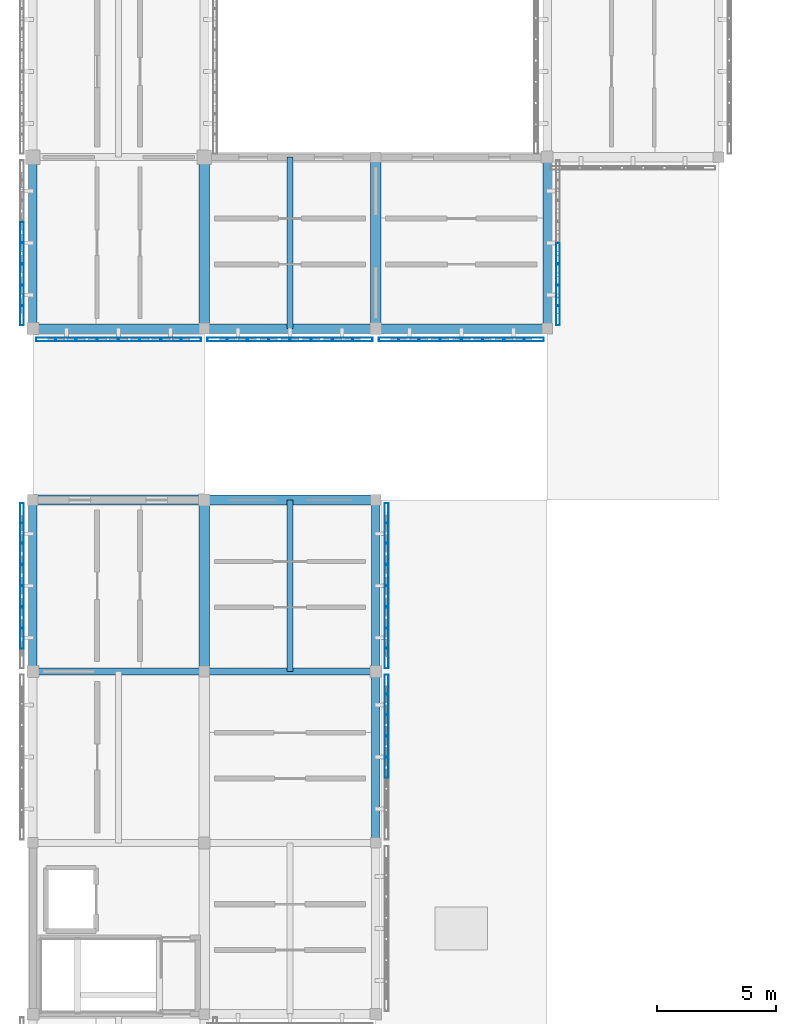
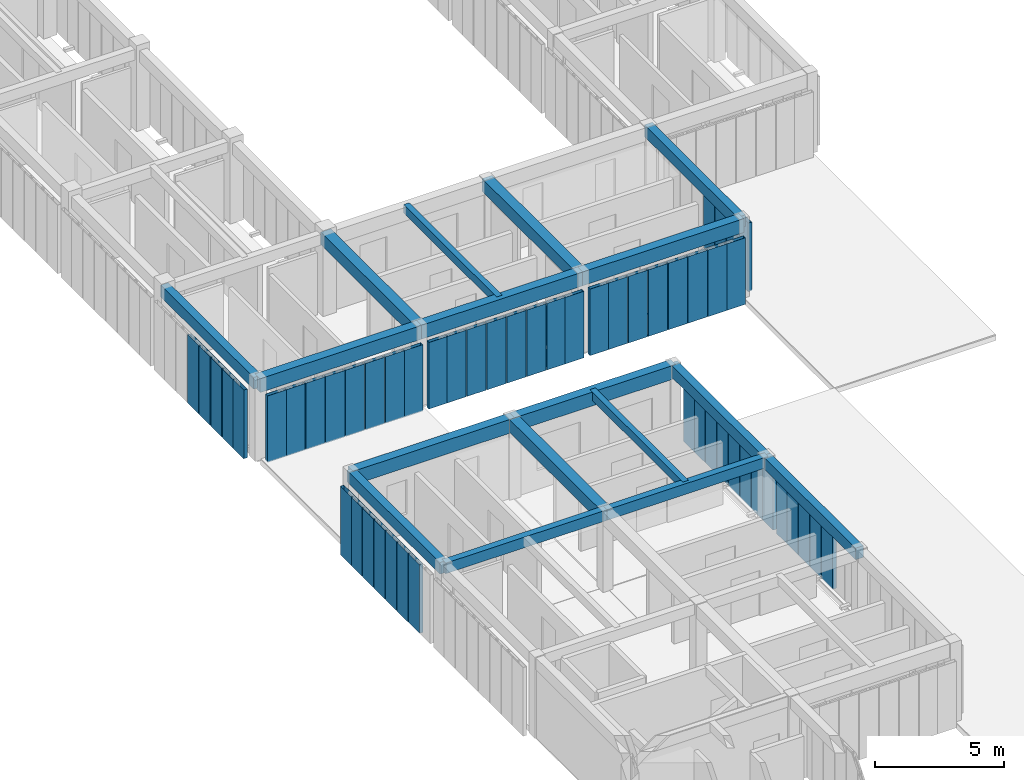
# One storey, part 4 of 67: 53 members, 17 beams, 8 elements without a shape of their own.
"""IFC4 building model written with IfcOpenShell, lengths in metres."""

from ifc_helpers import new_model, si_unit, direction, frame, origin, origin_2d, place, context, subcontext, project, spatial, rectangle, hollow_rectangle, extrude, material, material_profile, profile_set, type_object, element, aggregate, save


model = new_model("IFC4")

# Units and contexts
model_context = context("Model", 3, precision=1e-05, world=origin(), true_north=direction((0.0, 1.0)))
body_context = subcontext(model_context, "Body", "Model", "MODEL_VIEW")
ifc_project = project(units=[si_unit("LENGTHUNIT", "METRE"), si_unit("AREAUNIT", "SQUARE_METRE"), si_unit("VOLUMEUNIT", "CUBIC_METRE"), si_unit("PLANEANGLEUNIT", "RADIAN"), si_unit("MASSUNIT", "GRAM", prefix="KILO")], contexts=[model_context])

# Site, building, storey
site_placement = place(None, origin())
site = spatial("IfcSite", under=ifc_project, at=site_placement, CompositionType="ELEMENT")
building_placement = place(site_placement, origin())
building = spatial("IfcBuilding", under=site, at=building_placement, Name="Aldebral Square Health Centre", CompositionType="ELEMENT")
storey_placement = place(building_placement, frame((0.0, 0.0, 13.5)))
storey = spatial("IfcBuildingStorey", under=building, at=storey_placement, Name="L03", CompositionType="ELEMENT", Elevation=13.5)

# Beams
ifc_material_1 = material(Name="Concrete C40/50", Category="concrete")
ifc_material_profile_1 = material_profile(ifc_material_1, rectangle(XDim=0.39990234375, YDim=0.64990234375, at=origin_2d()), Name="RC 400x650")
ifc_profile_set_1 = profile_set([ifc_material_profile_1], Name="Concrete C40/50")
beam_type_1 = type_object("IfcBeamType", Name="BM-B1", PredefinedType="BEAM", material=ifc_profile_set_1)
for number, where, z_axis, x_axis, name in (
    (1, (0.0, 50.39990234375, 3.465087890625), (1.0, 0.0, 0.0), (0.0, 1.0, 0.0), "L03 X-beam 1-2/G8"),
    (2, (0.0, 57.60009765625, 3.465087890625), (1.0, 0.0, 0.0), (0.0, 1.0, 0.0), "L03 X-beam 1-2/G9"),
    (3, (7.199951171875, 50.39990234375, 3.465087890625), (1.0, 0.0, 0.0), (0.0, 1.0, 0.0), "L03 X-beam 2-3/G8"),
    (4, (7.199951171875, 57.60009765625, 3.465087890625), (1.0, 0.0, 0.0), (0.0, 1.0, 0.0), "L03 X-beam 2-3/G9"),
):
    element("IfcBeam", number, at=place(storey_placement, frame(where, z_axis=z_axis, x_axis=x_axis)), inside=storey, type_object=beam_type_1, Name=name, PredefinedType="BEAM", context=body_context, shape_type="SweptSolid", body=[
        extrude(rectangle(XDim=0.39990234375, YDim=0.64990234375, at=origin_2d()), origin(), (0.0, 0.0, 1.0), 7.199951171875),
    ])
beam_placement = place(storey_placement, frame((14.39990234375, 57.60009765625, 3.465087890625), z_axis=(1.0, 0.0, 0.0), x_axis=(0.0, 1.0, 0.0)))
element("IfcBeam", 5, at=beam_placement, inside=storey, type_object=beam_type_1, Name="L03 X-beam 3-4/G9", PredefinedType="BEAM", context=body_context, shape_type="SweptSolid", body=[
    extrude(rectangle(XDim=0.39990234375, YDim=0.64990234375, at=origin_2d()), origin(), (0.0, 0.0, 1.0), 7.2001953125),
])
ifc_material_profile_2 = material_profile(ifc_material_1, rectangle(XDim=0.35009765625, YDim=0.550048828125, at=origin_2d()), Name="RC 350x550")
ifc_profile_set_2 = profile_set([ifc_material_profile_2], Name="Concrete C40/50")
beam_type_2 = type_object("IfcBeamType", Name="BM-B3", PredefinedType="BEAM", material=ifc_profile_set_2)
for number, where, z_axis, x_axis, name in (
    (6, (0.0, 43.199951171875, 3.514892578125), (0.0, 1.0, 0.0), (-1.0, 0.0, 0.0), "L03 Y-beam G1/7-8"),
    (7, (0.0, 57.60009765625, 3.514892578125), (0.0, 1.0, 0.0), (-1.0, 0.0, 0.0), "L03 Y-beam G1/9-10"),
    (8, (14.39990234375, 36.0, 3.514892578125), (0.0, 1.0, 0.0), (-1.0, 0.0, 0.0), "L03 Y-beam G3/6-7"),
    (9, (14.39990234375, 43.199951171875, 3.514892578125), (0.0, 1.0, 0.0), (-1.0, 0.0, 0.0), "L03 Y-beam G3/7-8"),
    (10, (21.60009765625, 57.60009765625, 3.514892578125), (0.0, 1.0, 0.0), (-1.0, 0.0, 0.0), "L03 Y-beam G4/9-10"),
):
    element("IfcBeam", number, at=place(storey_placement, frame(where, z_axis=z_axis, x_axis=x_axis)), inside=storey, type_object=beam_type_2, Name=name, PredefinedType="BEAM", context=body_context, shape_type="SweptSolid", body=[
        extrude(rectangle(XDim=0.35009765625, YDim=0.550048828125, at=origin_2d()), origin(), (0.0, 0.0, 1.0), 7.199951171875),
    ])
ifc_material_profile_3 = material_profile(ifc_material_1, rectangle(XDim=0.300048828125, YDim=0.5, at=origin_2d()), Name="RC 300x500")
ifc_profile_set_3 = profile_set([ifc_material_profile_3], Name="Concrete C40/50")
beam_type_3 = type_object("IfcBeamType", Name="BM-B4", PredefinedType="BEAM", material=ifc_profile_set_3)
for number, where, z_axis, x_axis, name in (
    (11, (0.0, 43.199951171875, 3.5400390625), (1.0, 0.0, 0.0), (0.0, 1.0, 0.0), "L03 X-beam 1-2/G7"),
    (12, (7.199951171875, 43.199951171875, 3.5400390625), (1.0, 0.0, 0.0), (0.0, 1.0, 0.0), "L03 X-beam 2-3/G7"),
):
    element("IfcBeam", number, at=place(storey_placement, frame(where, z_axis=z_axis, x_axis=x_axis)), inside=storey, type_object=beam_type_3, Name=name, PredefinedType="BEAM", context=body_context, shape_type="SweptSolid", body=[
        extrude(rectangle(XDim=0.300048828125, YDim=0.5, at=origin_2d()), origin(), (0.0, 0.0, 1.0), 7.199951171875),
    ])
ifc_material_profile_4 = material_profile(ifc_material_1, rectangle(XDim=0.25, YDim=0.39990234375, at=origin_2d()), Name="RC 250x400")
ifc_profile_set_4 = profile_set([ifc_material_profile_4], Name="Concrete C40/50")
beam_type_4 = type_object("IfcBeamType", Name="BM-B6", PredefinedType="JOIST", material=ifc_profile_set_4)
for number, where, z_axis, x_axis, name in (
    (13, (10.800048828125, 43.199951171875, 3.590087890625), (0.0, 1.0, 0.0), (-1.0, 0.0, 0.0), "L03 secondary rib 2.7"),
    (14, (10.800048828125, 57.60009765625, 3.590087890625), (0.0, 1.0, 0.0), (-1.0, 0.0, 0.0), "L03 secondary rib 2.9"),
):
    element("IfcBeam", number, at=place(storey_placement, frame(where, z_axis=z_axis, x_axis=x_axis)), inside=storey, type_object=beam_type_4, Name=name, PredefinedType="JOIST", context=body_context, shape_type="SweptSolid", body=[
        extrude(rectangle(XDim=0.25, YDim=0.39990234375, at=origin_2d()), origin(), (0.0, 0.0, 1.0), 7.199951171875),
    ])
ifc_material_profile_5 = material_profile(ifc_material_1, rectangle(XDim=0.449951171875, YDim=0.60009765625, at=origin_2d()), Name="RC 450x600")
ifc_profile_set_5 = profile_set([ifc_material_profile_5], Name="Concrete C40/50")
beam_type_5 = type_object("IfcBeamType", Name="BM-LN1", PredefinedType="LINTEL", material=ifc_profile_set_5)
for number, where, z_axis, x_axis, name in (
    (15, (7.199951171875, 43.199951171875, 3.489990234375), (0.0, 1.0, 0.0), (-1.0, 0.0, 0.0), "L03 Y-beam G2/7-8"),
    (16, (7.199951171875, 57.60009765625, 3.489990234375), (0.0, 1.0, 0.0), (-1.0, 0.0, 0.0), "L03 Y-beam G2/9-10"),
    (17, (14.39990234375, 57.60009765625, 3.489990234375), (0.0, 1.0, 0.0), (-1.0, 0.0, 0.0), "L03 Y-beam G3/9-10"),
):
    element("IfcBeam", number, at=place(storey_placement, frame(where, z_axis=z_axis, x_axis=x_axis)), inside=storey, type_object=beam_type_5, Name=name, PredefinedType="LINTEL", context=body_context, shape_type="SweptSolid", body=[
        extrude(rectangle(XDim=0.449951171875, YDim=0.60009765625, at=origin_2d()), origin(), (0.0, 0.0, 1.0), 7.199951171875),
    ])

# Curtain wall, members
ifc_material_2 = material(Name="Aluminium and low-E solar glass", Category="aluminium")
curtain_wall_type = type_object("IfcCurtainWallType", Name="CW-FIN-SYS", PredefinedType="USERDEFINED", material=ifc_material_2)
curtain_wall_1_placement = place(storey_placement, origin())
curtain_wall_1 = element("IfcCurtainWall", 18, at=curtain_wall_1_placement, inside=storey, type_object=curtain_wall_type, Name="L03 V6 finned curtain wall L03-V6-00-06-W", ObjectType="SOLAR_CURTAIN_WALL", PredefinedType="USERDEFINED")
ifc_material_3 = material(Name="Sienna-terracotta clad aluminium fin", Category="masonry")
ifc_material_profile_6 = material_profile(ifc_material_3, hollow_rectangle(XDim=0.159912109375, YDim=0.85009765625, WallThickness=0.006103515625, at=origin_2d()), Name="FIN 160x850x6")
ifc_profile_set_6 = profile_set([ifc_material_profile_6], Name="Sienna-terracotta clad aluminium fin")
member_type = type_object("IfcMemberType", Name="CWM-FIN", PredefinedType="MULLION", material=ifc_profile_set_6)
member_1_placement = place(storey_placement, frame((-0.4599609375, 49.840087890625, 0.0), z_axis=(0.0, 0.0, 1.0), x_axis=(1.0, 0.0, 0.0)))
member_1 = element("IfcMember", 19, at=member_1_placement, type_object=member_type, Name="CW1 mullion 1", PredefinedType="MULLION", context=body_context, shape_type="SweptSolid", body=[
    extrude(hollow_rectangle(XDim=0.159912109375, YDim=0.85009765625, WallThickness=0.006103515625, at=origin_2d()), origin(), (0.0, 0.0, 1.0), 3.239990234375),
])
member_2_placement = place(storey_placement, frame((-0.4599609375, 49.028564453125, 0.0), z_axis=(0.0, 0.0, 1.0), x_axis=(1.0, 0.0, 0.0)))
member_2 = element("IfcMember", 20, at=member_2_placement, type_object=member_type, Name="CW1 mullion 2", PredefinedType="MULLION", context=body_context, shape_type="SweptSolid", body=[
    extrude(hollow_rectangle(XDim=0.159912109375, YDim=0.85009765625, WallThickness=0.006103515625, at=origin_2d()), origin(), (0.0, 0.0, 1.0), 3.239990234375),
])
member_3_placement = place(storey_placement, frame((-0.4599609375, 48.13720703125, 0.0), z_axis=(0.0, 0.0, 1.0), x_axis=(1.0, 0.0, 0.0)))
member_3 = element("IfcMember", 21, at=member_3_placement, type_object=member_type, Name="CW1 mullion 3", PredefinedType="MULLION", context=body_context, shape_type="SweptSolid", body=[
    extrude(hollow_rectangle(XDim=0.159912109375, YDim=0.85009765625, WallThickness=0.006103515625, at=origin_2d()), origin(), (0.0, 0.0, 1.0), 3.239990234375),
])
member_4_placement = place(storey_placement, frame((-0.4599609375, 47.24560546875, 0.0), z_axis=(0.0, 0.0, 1.0), x_axis=(1.0, 0.0, 0.0)))
member_4 = element("IfcMember", 22, at=member_4_placement, type_object=member_type, Name="CW1 mullion 4", PredefinedType="MULLION", context=body_context, shape_type="SweptSolid", body=[
    extrude(hollow_rectangle(XDim=0.159912109375, YDim=0.85009765625, WallThickness=0.006103515625, at=origin_2d()), origin(), (0.0, 0.0, 1.0), 3.239990234375),
])
member_5_placement = place(storey_placement, frame((-0.4599609375, 46.354248046875, 0.0), z_axis=(0.0, 0.0, 1.0), x_axis=(1.0, 0.0, 0.0)))
member_5 = element("IfcMember", 23, at=member_5_placement, type_object=member_type, Name="CW1 mullion 5", PredefinedType="MULLION", context=body_context, shape_type="SweptSolid", body=[
    extrude(hollow_rectangle(XDim=0.159912109375, YDim=0.85009765625, WallThickness=0.006103515625, at=origin_2d()), origin(), (0.0, 0.0, 1.0), 3.239990234375),
])
member_6_placement = place(storey_placement, frame((-0.4599609375, 45.462890625, 0.0), z_axis=(0.0, 0.0, 1.0), x_axis=(1.0, 0.0, 0.0)))
member_6 = element("IfcMember", 24, at=member_6_placement, type_object=member_type, Name="CW1 mullion 6", PredefinedType="MULLION", context=body_context, shape_type="SweptSolid", body=[
    extrude(hollow_rectangle(XDim=0.159912109375, YDim=0.85009765625, WallThickness=0.006103515625, at=origin_2d()), origin(), (0.0, 0.0, 1.0), 3.239990234375),
])
member_7_placement = place(storey_placement, frame((-0.4599609375, 44.571533203125, 0.0), z_axis=(0.0, 0.0, 1.0), x_axis=(1.0, 0.0, 0.0)))
member_7 = element("IfcMember", 25, at=member_7_placement, type_object=member_type, Name="CW1 mullion 7", PredefinedType="MULLION", context=body_context, shape_type="SweptSolid", body=[
    extrude(hollow_rectangle(XDim=0.159912109375, YDim=0.85009765625, WallThickness=0.006103515625, at=origin_2d()), origin(), (0.0, 0.0, 1.0), 3.239990234375),
])
aggregate(curtain_wall_1, [member_1, member_2, member_3, member_4, member_5, member_6, member_7])

curtain_wall_2_placement = place(storey_placement, origin())
curtain_wall_2 = element("IfcCurtainWall", 26, at=curtain_wall_2_placement, inside=storey, type_object=curtain_wall_type, Name="L03 V4 finned curtain wall L03-V4-00-08-S", ObjectType="SOLAR_CURTAIN_WALL", PredefinedType="USERDEFINED")
member_8_placement = place(storey_placement, frame((0.56005859375, 57.139892578125, 0.0), z_axis=(0.0, 0.0, 1.0), x_axis=(0.0, 1.0, 0.0)))
member_8 = element("IfcMember", 27, at=member_8_placement, type_object=member_type, Name="CW1 mullion 1", PredefinedType="MULLION", context=body_context, shape_type="SweptSolid", body=[
    extrude(hollow_rectangle(XDim=0.159912109375, YDim=0.85009765625, WallThickness=0.006103515625, at=origin_2d()), origin(), (0.0, 0.0, 1.0), 3.139892578125),
])
member_9_placement = place(storey_placement, frame((1.371337890625, 57.139892578125, 0.0), z_axis=(0.0, 0.0, 1.0), x_axis=(0.0, 1.0, 0.0)))
member_9 = element("IfcMember", 28, at=member_9_placement, type_object=member_type, Name="CW1 mullion 2", PredefinedType="MULLION", context=body_context, shape_type="SweptSolid", body=[
    extrude(hollow_rectangle(XDim=0.159912109375, YDim=0.85009765625, WallThickness=0.006103515625, at=origin_2d()), origin(), (0.0, 0.0, 1.0), 3.139892578125),
])
member_10_placement = place(storey_placement, frame((2.262939453125, 57.139892578125, 0.0), z_axis=(0.0, 0.0, 1.0), x_axis=(0.0, 1.0, 0.0)))
member_10 = element("IfcMember", 29, at=member_10_placement, type_object=member_type, Name="CW1 mullion 3", PredefinedType="MULLION", context=body_context, shape_type="SweptSolid", body=[
    extrude(hollow_rectangle(XDim=0.159912109375, YDim=0.85009765625, WallThickness=0.006103515625, at=origin_2d()), origin(), (0.0, 0.0, 1.0), 3.139892578125),
])
member_11_placement = place(storey_placement, frame((3.154296875, 57.139892578125, 0.0), z_axis=(0.0, 0.0, 1.0), x_axis=(0.0, 1.0, 0.0)))
member_11 = element("IfcMember", 30, at=member_11_placement, type_object=member_type, Name="CW1 mullion 4", PredefinedType="MULLION", context=body_context, shape_type="SweptSolid", body=[
    extrude(hollow_rectangle(XDim=0.159912109375, YDim=0.85009765625, WallThickness=0.006103515625, at=origin_2d()), origin(), (0.0, 0.0, 1.0), 3.139892578125),
])
member_12_placement = place(storey_placement, frame((4.045654296875, 57.139892578125, 0.0), z_axis=(0.0, 0.0, 1.0), x_axis=(0.0, 1.0, 0.0)))
member_12 = element("IfcMember", 31, at=member_12_placement, type_object=member_type, Name="CW1 mullion 5", PredefinedType="MULLION", context=body_context, shape_type="SweptSolid", body=[
    extrude(hollow_rectangle(XDim=0.159912109375, YDim=0.85009765625, WallThickness=0.006103515625, at=origin_2d()), origin(), (0.0, 0.0, 1.0), 3.139892578125),
])
member_13_placement = place(storey_placement, frame((4.937255859375, 57.139892578125, 0.0), z_axis=(0.0, 0.0, 1.0), x_axis=(0.0, 1.0, 0.0)))
member_13 = element("IfcMember", 32, at=member_13_placement, type_object=member_type, Name="CW1 mullion 6", PredefinedType="MULLION", context=body_context, shape_type="SweptSolid", body=[
    extrude(hollow_rectangle(XDim=0.159912109375, YDim=0.85009765625, WallThickness=0.006103515625, at=origin_2d()), origin(), (0.0, 0.0, 1.0), 3.139892578125),
])
member_14_placement = place(storey_placement, frame((5.82861328125, 57.139892578125, 0.0), z_axis=(0.0, 0.0, 1.0), x_axis=(0.0, 1.0, 0.0)))
member_14 = element("IfcMember", 33, at=member_14_placement, type_object=member_type, Name="CW1 mullion 7", PredefinedType="MULLION", context=body_context, shape_type="SweptSolid", body=[
    extrude(hollow_rectangle(XDim=0.159912109375, YDim=0.85009765625, WallThickness=0.006103515625, at=origin_2d()), origin(), (0.0, 0.0, 1.0), 3.139892578125),
])
member_15_placement = place(storey_placement, frame((6.639892578125, 57.139892578125, 0.0), z_axis=(0.0, 0.0, 1.0), x_axis=(0.0, 1.0, 0.0)))
member_15 = element("IfcMember", 34, at=member_15_placement, type_object=member_type, Name="CW1 mullion 8", PredefinedType="MULLION", context=body_context, shape_type="SweptSolid", body=[
    extrude(hollow_rectangle(XDim=0.159912109375, YDim=0.85009765625, WallThickness=0.006103515625, at=origin_2d()), origin(), (0.0, 0.0, 1.0), 3.139892578125),
])
aggregate(curtain_wall_2, [member_8, member_9, member_10, member_11, member_12, member_13, member_14, member_15])

curtain_wall_3_placement = place(storey_placement, origin())
curtain_wall_3 = element("IfcCurtainWall", 35, at=curtain_wall_3_placement, inside=storey, type_object=curtain_wall_type, Name="L03 V4 finned curtain wall L03-V4-00-08-W", ObjectType="SOLAR_CURTAIN_WALL", PredefinedType="USERDEFINED")
member_16_placement = place(storey_placement, frame((-0.4599609375, 61.645751953125, 0.0), z_axis=(0.0, 0.0, 1.0), x_axis=(1.0, 0.0, 0.0)))
member_16 = element("IfcMember", 36, at=member_16_placement, type_object=member_type, Name="CW1 mullion 4", PredefinedType="MULLION", context=body_context, shape_type="SweptSolid", body=[
    extrude(hollow_rectangle(XDim=0.159912109375, YDim=0.85009765625, WallThickness=0.006103515625, at=origin_2d()), origin(), (0.0, 0.0, 1.0), 3.239990234375),
])
member_17_placement = place(storey_placement, frame((-0.4599609375, 60.75439453125, 0.0), z_axis=(0.0, 0.0, 1.0), x_axis=(1.0, 0.0, 0.0)))
member_17 = element("IfcMember", 37, at=member_17_placement, type_object=member_type, Name="CW1 mullion 5", PredefinedType="MULLION", context=body_context, shape_type="SweptSolid", body=[
    extrude(hollow_rectangle(XDim=0.159912109375, YDim=0.85009765625, WallThickness=0.006103515625, at=origin_2d()), origin(), (0.0, 0.0, 1.0), 3.239990234375),
])
member_18_placement = place(storey_placement, frame((-0.4599609375, 59.86279296875, 0.0), z_axis=(0.0, 0.0, 1.0), x_axis=(1.0, 0.0, 0.0)))
member_18 = element("IfcMember", 38, at=member_18_placement, type_object=member_type, Name="CW1 mullion 6", PredefinedType="MULLION", context=body_context, shape_type="SweptSolid", body=[
    extrude(hollow_rectangle(XDim=0.159912109375, YDim=0.85009765625, WallThickness=0.006103515625, at=origin_2d()), origin(), (0.0, 0.0, 1.0), 3.239990234375),
])
member_19_placement = place(storey_placement, frame((-0.4599609375, 58.971435546875, 0.0), z_axis=(0.0, 0.0, 1.0), x_axis=(1.0, 0.0, 0.0)))
member_19 = element("IfcMember", 39, at=member_19_placement, type_object=member_type, Name="CW1 mullion 7", PredefinedType="MULLION", context=body_context, shape_type="SweptSolid", body=[
    extrude(hollow_rectangle(XDim=0.159912109375, YDim=0.85009765625, WallThickness=0.006103515625, at=origin_2d()), origin(), (0.0, 0.0, 1.0), 3.239990234375),
])
member_20_placement = place(storey_placement, frame((-0.4599609375, 58.159912109375, 0.0), z_axis=(0.0, 0.0, 1.0), x_axis=(1.0, 0.0, 0.0)))
member_20 = element("IfcMember", 40, at=member_20_placement, type_object=member_type, Name="CW1 mullion 8", PredefinedType="MULLION", context=body_context, shape_type="SweptSolid", body=[
    extrude(hollow_rectangle(XDim=0.159912109375, YDim=0.85009765625, WallThickness=0.006103515625, at=origin_2d()), origin(), (0.0, 0.0, 1.0), 3.239990234375),
])
aggregate(curtain_wall_3, [member_16, member_17, member_18, member_19, member_20])

curtain_wall_4_placement = place(storey_placement, origin())
curtain_wall_4 = element("IfcCurtainWall", 41, at=curtain_wall_4_placement, inside=storey, type_object=curtain_wall_type, Name="L03 V6 finned curtain wall L03-V6-01-05-E", ObjectType="SOLAR_CURTAIN_WALL", PredefinedType="USERDEFINED")
member_21_placement = place(storey_placement, frame((14.860107421875, 39.154296875, 0.0), z_axis=(0.0, 0.0, 1.0), x_axis=(-1.0, 0.0, 0.0)))
member_21 = element("IfcMember", 42, at=member_21_placement, type_object=member_type, Name="CW1 mullion 4", PredefinedType="MULLION", context=body_context, shape_type="SweptSolid", body=[
    extrude(hollow_rectangle(XDim=0.159912109375, YDim=0.85009765625, WallThickness=0.006103515625, at=origin_2d()), origin(), (0.0, 0.0, 1.0), 3.239990234375),
])
member_22_placement = place(storey_placement, frame((14.860107421875, 40.045654296875, 0.0), z_axis=(0.0, 0.0, 1.0), x_axis=(-1.0, 0.0, 0.0)))
member_22 = element("IfcMember", 43, at=member_22_placement, type_object=member_type, Name="CW1 mullion 5", PredefinedType="MULLION", context=body_context, shape_type="SweptSolid", body=[
    extrude(hollow_rectangle(XDim=0.159912109375, YDim=0.85009765625, WallThickness=0.006103515625, at=origin_2d()), origin(), (0.0, 0.0, 1.0), 3.239990234375),
])
member_23_placement = place(storey_placement, frame((14.860107421875, 40.937255859375, 0.0), z_axis=(0.0, 0.0, 1.0), x_axis=(-1.0, 0.0, 0.0)))
member_23 = element("IfcMember", 44, at=member_23_placement, type_object=member_type, Name="CW1 mullion 6", PredefinedType="MULLION", context=body_context, shape_type="SweptSolid", body=[
    extrude(hollow_rectangle(XDim=0.159912109375, YDim=0.85009765625, WallThickness=0.006103515625, at=origin_2d()), origin(), (0.0, 0.0, 1.0), 3.239990234375),
])
member_24_placement = place(storey_placement, frame((14.860107421875, 41.82861328125, 0.0), z_axis=(0.0, 0.0, 1.0), x_axis=(-1.0, 0.0, 0.0)))
member_24 = element("IfcMember", 45, at=member_24_placement, type_object=member_type, Name="CW1 mullion 7", PredefinedType="MULLION", context=body_context, shape_type="SweptSolid", body=[
    extrude(hollow_rectangle(XDim=0.159912109375, YDim=0.85009765625, WallThickness=0.006103515625, at=origin_2d()), origin(), (0.0, 0.0, 1.0), 3.239990234375),
])
member_25_placement = place(storey_placement, frame((14.860107421875, 42.639892578125, 0.0), z_axis=(0.0, 0.0, 1.0), x_axis=(-1.0, 0.0, 0.0)))
member_25 = element("IfcMember", 46, at=member_25_placement, type_object=member_type, Name="CW1 mullion 8", PredefinedType="MULLION", context=body_context, shape_type="SweptSolid", body=[
    extrude(hollow_rectangle(XDim=0.159912109375, YDim=0.85009765625, WallThickness=0.006103515625, at=origin_2d()), origin(), (0.0, 0.0, 1.0), 3.239990234375),
])
aggregate(curtain_wall_4, [member_21, member_22, member_23, member_24, member_25])

curtain_wall_5_placement = place(storey_placement, origin())
curtain_wall_5 = element("IfcCurtainWall", 47, at=curtain_wall_5_placement, inside=storey, type_object=curtain_wall_type, Name="L03 V6 finned curtain wall L03-V6-01-06-E", ObjectType="SOLAR_CURTAIN_WALL", PredefinedType="USERDEFINED")
member_26_placement = place(storey_placement, frame((14.860107421875, 43.760009765625, 0.0), z_axis=(0.0, 0.0, 1.0), x_axis=(-1.0, 0.0, 0.0)))
member_26 = element("IfcMember", 48, at=member_26_placement, type_object=member_type, Name="CW1 mullion 1", PredefinedType="MULLION", context=body_context, shape_type="SweptSolid", body=[
    extrude(hollow_rectangle(XDim=0.159912109375, YDim=0.85009765625, WallThickness=0.006103515625, at=origin_2d()), origin(), (0.0, 0.0, 1.0), 3.239990234375),
])
member_27_placement = place(storey_placement, frame((14.860107421875, 44.571533203125, 0.0), z_axis=(0.0, 0.0, 1.0), x_axis=(-1.0, 0.0, 0.0)))
member_27 = element("IfcMember", 49, at=member_27_placement, type_object=member_type, Name="CW1 mullion 2", PredefinedType="MULLION", context=body_context, shape_type="SweptSolid", body=[
    extrude(hollow_rectangle(XDim=0.159912109375, YDim=0.85009765625, WallThickness=0.006103515625, at=origin_2d()), origin(), (0.0, 0.0, 1.0), 3.239990234375),
])
member_28_placement = place(storey_placement, frame((14.860107421875, 45.462890625, 0.0), z_axis=(0.0, 0.0, 1.0), x_axis=(-1.0, 0.0, 0.0)))
member_28 = element("IfcMember", 50, at=member_28_placement, type_object=member_type, Name="CW1 mullion 3", PredefinedType="MULLION", context=body_context, shape_type="SweptSolid", body=[
    extrude(hollow_rectangle(XDim=0.159912109375, YDim=0.85009765625, WallThickness=0.006103515625, at=origin_2d()), origin(), (0.0, 0.0, 1.0), 3.239990234375),
])
member_29_placement = place(storey_placement, frame((14.860107421875, 46.354248046875, 0.0), z_axis=(0.0, 0.0, 1.0), x_axis=(-1.0, 0.0, 0.0)))
member_29 = element("IfcMember", 51, at=member_29_placement, type_object=member_type, Name="CW1 mullion 4", PredefinedType="MULLION", context=body_context, shape_type="SweptSolid", body=[
    extrude(hollow_rectangle(XDim=0.159912109375, YDim=0.85009765625, WallThickness=0.006103515625, at=origin_2d()), origin(), (0.0, 0.0, 1.0), 3.239990234375),
])
member_30_placement = place(storey_placement, frame((14.860107421875, 47.24560546875, 0.0), z_axis=(0.0, 0.0, 1.0), x_axis=(-1.0, 0.0, 0.0)))
member_30 = element("IfcMember", 52, at=member_30_placement, type_object=member_type, Name="CW1 mullion 5", PredefinedType="MULLION", context=body_context, shape_type="SweptSolid", body=[
    extrude(hollow_rectangle(XDim=0.159912109375, YDim=0.85009765625, WallThickness=0.006103515625, at=origin_2d()), origin(), (0.0, 0.0, 1.0), 3.239990234375),
])
member_31_placement = place(storey_placement, frame((14.860107421875, 48.13720703125, 0.0), z_axis=(0.0, 0.0, 1.0), x_axis=(-1.0, 0.0, 0.0)))
member_31 = element("IfcMember", 53, at=member_31_placement, type_object=member_type, Name="CW1 mullion 6", PredefinedType="MULLION", context=body_context, shape_type="SweptSolid", body=[
    extrude(hollow_rectangle(XDim=0.159912109375, YDim=0.85009765625, WallThickness=0.006103515625, at=origin_2d()), origin(), (0.0, 0.0, 1.0), 3.239990234375),
])
member_32_placement = place(storey_placement, frame((14.860107421875, 49.028564453125, 0.0), z_axis=(0.0, 0.0, 1.0), x_axis=(-1.0, 0.0, 0.0)))
member_32 = element("IfcMember", 54, at=member_32_placement, type_object=member_type, Name="CW1 mullion 7", PredefinedType="MULLION", context=body_context, shape_type="SweptSolid", body=[
    extrude(hollow_rectangle(XDim=0.159912109375, YDim=0.85009765625, WallThickness=0.006103515625, at=origin_2d()), origin(), (0.0, 0.0, 1.0), 3.239990234375),
])
member_33_placement = place(storey_placement, frame((14.860107421875, 49.840087890625, 0.0), z_axis=(0.0, 0.0, 1.0), x_axis=(-1.0, 0.0, 0.0)))
member_33 = element("IfcMember", 55, at=member_33_placement, type_object=member_type, Name="CW1 mullion 8", PredefinedType="MULLION", context=body_context, shape_type="SweptSolid", body=[
    extrude(hollow_rectangle(XDim=0.159912109375, YDim=0.85009765625, WallThickness=0.006103515625, at=origin_2d()), origin(), (0.0, 0.0, 1.0), 3.239990234375),
])
aggregate(curtain_wall_5, [member_26, member_27, member_28, member_29, member_30, member_31, member_32, member_33])

curtain_wall_6_placement = place(storey_placement, origin())
curtain_wall_6 = element("IfcCurtainWall", 56, at=curtain_wall_6_placement, inside=storey, type_object=curtain_wall_type, Name="L03 V4 finned curtain wall L03-V4-01-08-S", ObjectType="SOLAR_CURTAIN_WALL", PredefinedType="USERDEFINED")
member_34_placement = place(storey_placement, frame((7.760009765625, 57.139892578125, 0.0), z_axis=(0.0, 0.0, 1.0), x_axis=(0.0, 1.0, 0.0)))
member_34 = element("IfcMember", 57, at=member_34_placement, type_object=member_type, Name="CW1 mullion 1", PredefinedType="MULLION", context=body_context, shape_type="SweptSolid", body=[
    extrude(hollow_rectangle(XDim=0.159912109375, YDim=0.85009765625, WallThickness=0.006103515625, at=origin_2d()), origin(), (0.0, 0.0, 1.0), 3.139892578125),
])
member_35_placement = place(storey_placement, frame((8.571533203125, 57.139892578125, 0.0), z_axis=(0.0, 0.0, 1.0), x_axis=(0.0, 1.0, 0.0)))
member_35 = element("IfcMember", 58, at=member_35_placement, type_object=member_type, Name="CW1 mullion 2", PredefinedType="MULLION", context=body_context, shape_type="SweptSolid", body=[
    extrude(hollow_rectangle(XDim=0.159912109375, YDim=0.85009765625, WallThickness=0.006103515625, at=origin_2d()), origin(), (0.0, 0.0, 1.0), 3.139892578125),
])
member_36_placement = place(storey_placement, frame((9.462890625, 57.139892578125, 0.0), z_axis=(0.0, 0.0, 1.0), x_axis=(0.0, 1.0, 0.0)))
member_36 = element("IfcMember", 59, at=member_36_placement, type_object=member_type, Name="CW1 mullion 3", PredefinedType="MULLION", context=body_context, shape_type="SweptSolid", body=[
    extrude(hollow_rectangle(XDim=0.159912109375, YDim=0.85009765625, WallThickness=0.006103515625, at=origin_2d()), origin(), (0.0, 0.0, 1.0), 3.139892578125),
])
member_37_placement = place(storey_placement, frame((10.354248046875, 57.139892578125, 0.0), z_axis=(0.0, 0.0, 1.0), x_axis=(0.0, 1.0, 0.0)))
member_37 = element("IfcMember", 60, at=member_37_placement, type_object=member_type, Name="CW1 mullion 4", PredefinedType="MULLION", context=body_context, shape_type="SweptSolid", body=[
    extrude(hollow_rectangle(XDim=0.159912109375, YDim=0.85009765625, WallThickness=0.006103515625, at=origin_2d()), origin(), (0.0, 0.0, 1.0), 3.139892578125),
])
member_38_placement = place(storey_placement, frame((11.24560546875, 57.139892578125, 0.0), z_axis=(0.0, 0.0, 1.0), x_axis=(0.0, 1.0, 0.0)))
member_38 = element("IfcMember", 61, at=member_38_placement, type_object=member_type, Name="CW1 mullion 5", PredefinedType="MULLION", context=body_context, shape_type="SweptSolid", body=[
    extrude(hollow_rectangle(XDim=0.159912109375, YDim=0.85009765625, WallThickness=0.006103515625, at=origin_2d()), origin(), (0.0, 0.0, 1.0), 3.139892578125),
])
member_39_placement = place(storey_placement, frame((12.13720703125, 57.139892578125, 0.0), z_axis=(0.0, 0.0, 1.0), x_axis=(0.0, 1.0, 0.0)))
member_39 = element("IfcMember", 62, at=member_39_placement, type_object=member_type, Name="CW1 mullion 6", PredefinedType="MULLION", context=body_context, shape_type="SweptSolid", body=[
    extrude(hollow_rectangle(XDim=0.159912109375, YDim=0.85009765625, WallThickness=0.006103515625, at=origin_2d()), origin(), (0.0, 0.0, 1.0), 3.139892578125),
])
member_40_placement = place(storey_placement, frame((13.028564453125, 57.139892578125, 0.0), z_axis=(0.0, 0.0, 1.0), x_axis=(0.0, 1.0, 0.0)))
member_40 = element("IfcMember", 63, at=member_40_placement, type_object=member_type, Name="CW1 mullion 7", PredefinedType="MULLION", context=body_context, shape_type="SweptSolid", body=[
    extrude(hollow_rectangle(XDim=0.159912109375, YDim=0.85009765625, WallThickness=0.006103515625, at=origin_2d()), origin(), (0.0, 0.0, 1.0), 3.139892578125),
])
member_41_placement = place(storey_placement, frame((13.840087890625, 57.139892578125, 0.0), z_axis=(0.0, 0.0, 1.0), x_axis=(0.0, 1.0, 0.0)))
member_41 = element("IfcMember", 64, at=member_41_placement, type_object=member_type, Name="CW1 mullion 8", PredefinedType="MULLION", context=body_context, shape_type="SweptSolid", body=[
    extrude(hollow_rectangle(XDim=0.159912109375, YDim=0.85009765625, WallThickness=0.006103515625, at=origin_2d()), origin(), (0.0, 0.0, 1.0), 3.139892578125),
])
aggregate(curtain_wall_6, [member_34, member_35, member_36, member_37, member_38, member_39, member_40, member_41])

curtain_wall_7_placement = place(storey_placement, origin())
curtain_wall_7 = element("IfcCurtainWall", 65, at=curtain_wall_7_placement, inside=storey, type_object=curtain_wall_type, Name="L03 V4 finned curtain wall L03-V4-02-08-S", ObjectType="SOLAR_CURTAIN_WALL", PredefinedType="USERDEFINED")
member_42_placement = place(storey_placement, frame((14.9599609375, 57.139892578125, 0.0), z_axis=(0.0, 0.0, 1.0), x_axis=(0.0, 1.0, 0.0)))
member_42 = element("IfcMember", 66, at=member_42_placement, type_object=member_type, Name="CW1 mullion 1", PredefinedType="MULLION", context=body_context, shape_type="SweptSolid", body=[
    extrude(hollow_rectangle(XDim=0.159912109375, YDim=0.85009765625, WallThickness=0.006103515625, at=origin_2d()), origin(), (0.0, 0.0, 1.0), 3.139892578125),
])
member_43_placement = place(storey_placement, frame((15.771484375, 57.139892578125, 0.0), z_axis=(0.0, 0.0, 1.0), x_axis=(0.0, 1.0, 0.0)))
member_43 = element("IfcMember", 67, at=member_43_placement, type_object=member_type, Name="CW1 mullion 2", PredefinedType="MULLION", context=body_context, shape_type="SweptSolid", body=[
    extrude(hollow_rectangle(XDim=0.159912109375, YDim=0.85009765625, WallThickness=0.006103515625, at=origin_2d()), origin(), (0.0, 0.0, 1.0), 3.139892578125),
])
member_44_placement = place(storey_placement, frame((16.662841796875, 57.139892578125, 0.0), z_axis=(0.0, 0.0, 1.0), x_axis=(0.0, 1.0, 0.0)))
member_44 = element("IfcMember", 68, at=member_44_placement, type_object=member_type, Name="CW1 mullion 3", PredefinedType="MULLION", context=body_context, shape_type="SweptSolid", body=[
    extrude(hollow_rectangle(XDim=0.159912109375, YDim=0.85009765625, WallThickness=0.006103515625, at=origin_2d()), origin(), (0.0, 0.0, 1.0), 3.139892578125),
])
member_45_placement = place(storey_placement, frame((17.55419921875, 57.139892578125, 0.0), z_axis=(0.0, 0.0, 1.0), x_axis=(0.0, 1.0, 0.0)))
member_45 = element("IfcMember", 69, at=member_45_placement, type_object=member_type, Name="CW1 mullion 4", PredefinedType="MULLION", context=body_context, shape_type="SweptSolid", body=[
    extrude(hollow_rectangle(XDim=0.159912109375, YDim=0.85009765625, WallThickness=0.006103515625, at=origin_2d()), origin(), (0.0, 0.0, 1.0), 3.139892578125),
])
member_46_placement = place(storey_placement, frame((18.44580078125, 57.139892578125, 0.0), z_axis=(0.0, 0.0, 1.0), x_axis=(0.0, 1.0, 0.0)))
member_46 = element("IfcMember", 70, at=member_46_placement, type_object=member_type, Name="CW1 mullion 5", PredefinedType="MULLION", context=body_context, shape_type="SweptSolid", body=[
    extrude(hollow_rectangle(XDim=0.159912109375, YDim=0.85009765625, WallThickness=0.006103515625, at=origin_2d()), origin(), (0.0, 0.0, 1.0), 3.139892578125),
])
member_47_placement = place(storey_placement, frame((19.337158203125, 57.139892578125, 0.0), z_axis=(0.0, 0.0, 1.0), x_axis=(0.0, 1.0, 0.0)))
member_47 = element("IfcMember", 71, at=member_47_placement, type_object=member_type, Name="CW1 mullion 6", PredefinedType="MULLION", context=body_context, shape_type="SweptSolid", body=[
    extrude(hollow_rectangle(XDim=0.159912109375, YDim=0.85009765625, WallThickness=0.006103515625, at=origin_2d()), origin(), (0.0, 0.0, 1.0), 3.139892578125),
])
member_48_placement = place(storey_placement, frame((20.228515625, 57.139892578125, 0.0), z_axis=(0.0, 0.0, 1.0), x_axis=(0.0, 1.0, 0.0)))
member_48 = element("IfcMember", 72, at=member_48_placement, type_object=member_type, Name="CW1 mullion 7", PredefinedType="MULLION", context=body_context, shape_type="SweptSolid", body=[
    extrude(hollow_rectangle(XDim=0.159912109375, YDim=0.85009765625, WallThickness=0.006103515625, at=origin_2d()), origin(), (0.0, 0.0, 1.0), 3.139892578125),
])
member_49_placement = place(storey_placement, frame((21.0400390625, 57.139892578125, 0.0), z_axis=(0.0, 0.0, 1.0), x_axis=(0.0, 1.0, 0.0)))
member_49 = element("IfcMember", 73, at=member_49_placement, type_object=member_type, Name="CW1 mullion 8", PredefinedType="MULLION", context=body_context, shape_type="SweptSolid", body=[
    extrude(hollow_rectangle(XDim=0.159912109375, YDim=0.85009765625, WallThickness=0.006103515625, at=origin_2d()), origin(), (0.0, 0.0, 1.0), 3.139892578125),
])
aggregate(curtain_wall_7, [member_42, member_43, member_44, member_45, member_46, member_47, member_48, member_49])

curtain_wall_8_placement = place(storey_placement, origin())
curtain_wall_8 = element("IfcCurtainWall", 74, at=curtain_wall_8_placement, inside=storey, type_object=curtain_wall_type, Name="L03 V4 finned curtain wall L03-V4-02-08-E", ObjectType="SOLAR_CURTAIN_WALL", PredefinedType="USERDEFINED")
member_50_placement = place(storey_placement, frame((22.06005859375, 58.159912109375, 0.0), z_axis=(0.0, 0.0, 1.0), x_axis=(-1.0, 0.0, 0.0)))
member_50 = element("IfcMember", 75, at=member_50_placement, type_object=member_type, Name="CW1 mullion 1", PredefinedType="MULLION", context=body_context, shape_type="SweptSolid", body=[
    extrude(hollow_rectangle(XDim=0.159912109375, YDim=0.85009765625, WallThickness=0.006103515625, at=origin_2d()), origin(), (0.0, 0.0, 1.0), 3.239990234375),
])
member_51_placement = place(storey_placement, frame((22.06005859375, 58.971435546875, 0.0), z_axis=(0.0, 0.0, 1.0), x_axis=(-1.0, 0.0, 0.0)))
member_51 = element("IfcMember", 76, at=member_51_placement, type_object=member_type, Name="CW1 mullion 2", PredefinedType="MULLION", context=body_context, shape_type="SweptSolid", body=[
    extrude(hollow_rectangle(XDim=0.159912109375, YDim=0.85009765625, WallThickness=0.006103515625, at=origin_2d()), origin(), (0.0, 0.0, 1.0), 3.239990234375),
])
member_52_placement = place(storey_placement, frame((22.06005859375, 59.86279296875, 0.0), z_axis=(0.0, 0.0, 1.0), x_axis=(-1.0, 0.0, 0.0)))
member_52 = element("IfcMember", 77, at=member_52_placement, type_object=member_type, Name="CW1 mullion 3", PredefinedType="MULLION", context=body_context, shape_type="SweptSolid", body=[
    extrude(hollow_rectangle(XDim=0.159912109375, YDim=0.85009765625, WallThickness=0.006103515625, at=origin_2d()), origin(), (0.0, 0.0, 1.0), 3.239990234375),
])
member_53_placement = place(storey_placement, frame((22.06005859375, 60.75439453125, 0.0), z_axis=(0.0, 0.0, 1.0), x_axis=(-1.0, 0.0, 0.0)))
member_53 = element("IfcMember", 78, at=member_53_placement, type_object=member_type, Name="CW1 mullion 4", PredefinedType="MULLION", context=body_context, shape_type="SweptSolid", body=[
    extrude(hollow_rectangle(XDim=0.159912109375, YDim=0.85009765625, WallThickness=0.006103515625, at=origin_2d()), origin(), (0.0, 0.0, 1.0), 3.239990234375),
])
aggregate(curtain_wall_8, [member_50, member_51, member_52, member_53])

save(model, "model.ifc")
